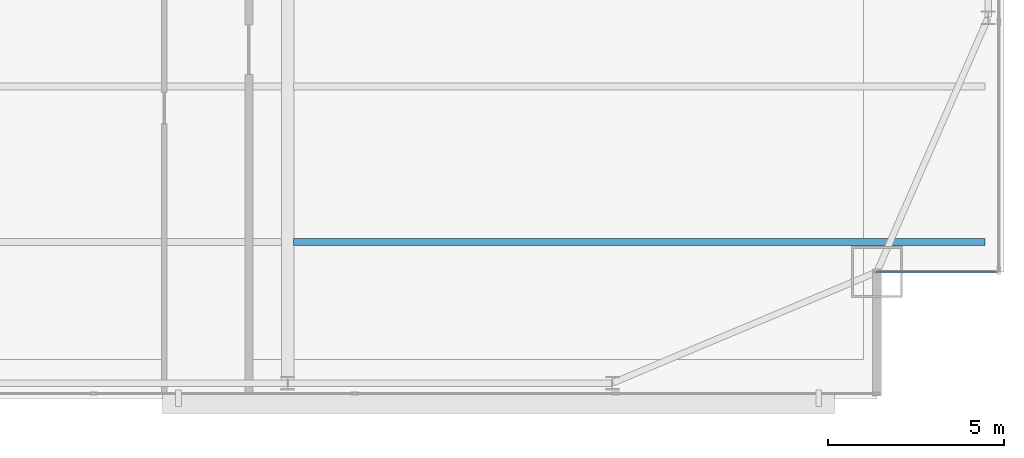
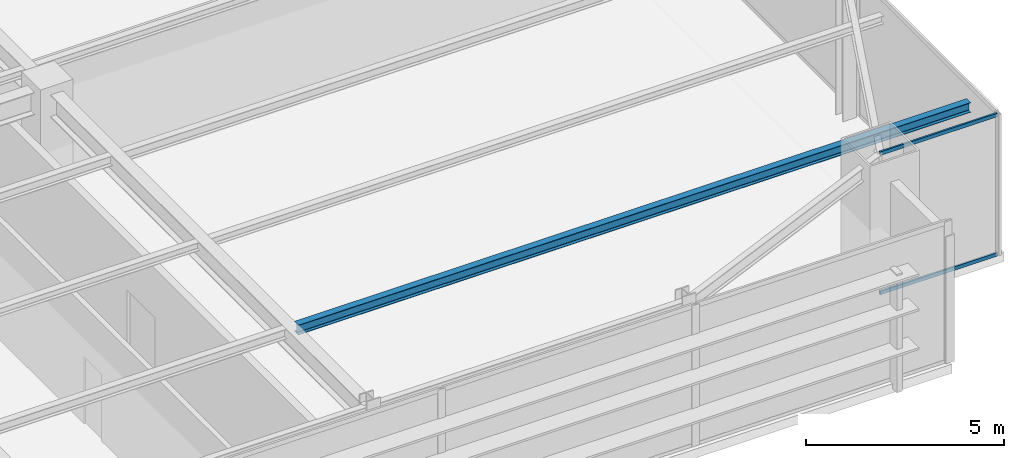
# One storey, part 18 of 32: 2 members, 1 beam, 1 element without a shape of its own.
"""IFC4 building model written with IfcOpenShell, lengths in metres."""

from ifc_helpers import new_model, si_unit, direction, frame, origin, origin_2d, place, context, subcontext, project, spatial, hollow_rectangle, i_section, extrude, source, transform, mapped, material, layer, layer_set, material_profile, profile_set, type_object, type_shapes, element, aggregate, save


model = new_model("IFC4")

# Units and contexts
model_context = context("Model", 3, precision=1e-05, world=origin(), true_north=direction((0.0, 1.0)))
body_context = subcontext(model_context, "Body", "Model", "MODEL_VIEW")
ifc_project = project(units=[si_unit("LENGTHUNIT", "METRE"), si_unit("AREAUNIT", "SQUARE_METRE"), si_unit("VOLUMEUNIT", "CUBIC_METRE"), si_unit("PLANEANGLEUNIT", "RADIAN"), si_unit("MASSUNIT", "GRAM", prefix="KILO")], contexts=[model_context])

# Site, building, storey
site_placement = place(None, origin())
site = spatial("IfcSite", under=ifc_project, at=site_placement, CompositionType="ELEMENT")
building_placement = place(site_placement, origin())
building = spatial("IfcBuilding", under=site, at=building_placement, Name="Varnel Quay Broadcast Tower", CompositionType="ELEMENT")
storey_placement = place(building_placement, frame((0.0, 0.0, 98.39990234375)))
storey = spatial("IfcBuildingStorey", under=building, at=storey_placement, Name="L23", CompositionType="ELEMENT", Elevation=98.39990234375)

# Beam
ifc_material_1 = material(Name="Structural Steel CSA G40.21 350W", Category="steel")
ifc_material_profile_1 = material_profile(ifc_material_1, i_section(OverallWidth=0.202880859375, OverallDepth=0.302978515625, WebThickness=0.007568359375, FlangeThickness=0.01318359375, FilletRadius=0.011962890625, at=origin_2d()), Name="W310X60")
ifc_profile_set_1 = profile_set([ifc_material_profile_1], Name="Structural Steel CSA G40.21 350W")
beam_type = type_object("IfcBeamType", Name="Beam_W310X60", PredefinedType="JOIST", material=ifc_profile_set_1)
shared_shape_1 = source(origin(), body_context, "Body", "SweptSolid", [
    extrude(i_section(OverallWidth=0.202880859375, OverallDepth=0.302978515625, WebThickness=0.007568359375, FlangeThickness=0.01318359375, FilletRadius=0.011962890625, at=origin_2d()), origin(), (0.0, 0.0, 1.0), 19.592041015625),
])
type_shapes(beam_type, [shared_shape_1])
beam_placement = place(storey_placement, frame((43.37255859375, 8.64990234375, 4.198486328125), z_axis=(1.0, 0.0, 0.0), x_axis=(0.0, 1.0, 0.0)))
element("IfcBeam", 1, at=beam_placement, inside=storey, type_object=beam_type, Name="L23 East Floor Joist 1", PredefinedType="JOIST", context=body_context, shape_type="MappedRepresentation", body=[
    mapped(shared_shape_1, transform((0.0, 0.0, 0.0), x_axis=(1.0, 0.0, 0.0), y_axis=(0.0, 1.0, 0.0), z_axis=(0.0, 0.0, 1.0), scale=1.0)),
])

# Curtain wall, members
ifc_material_2 = material(Name="Anodised Bronze Aluminium 6063-T6", Category="aluminium")
ifc_layer = layer(ifc_material_2, 0.18994140625, Name="Anodised Bronze Aluminium 6063-T6")
ifc_layer_set = layer_set([ifc_layer], Name="Anodised Bronze Aluminium 6063-T6")
curtain_wall_type = type_object("IfcCurtainWallType", Name="CW_NotchCorner", PredefinedType="NOTDEFINED", material=ifc_layer_set)
curtain_wall_placement = place(storey_placement, origin())
curtain_wall = element("IfcCurtainWall", 2, at=curtain_wall_placement, inside=storey, type_object=curtain_wall_type, Name="L23 SE Notch Curtain Wall", PredefinedType="NOTDEFINED")
ifc_material_profile_2 = material_profile(ifc_material_2, hollow_rectangle(XDim=0.054931640625, YDim=0.110107421875, WallThickness=0.0029296875, at=origin_2d()), Name="ALU55X110X3")
ifc_profile_set_2 = profile_set([ifc_material_profile_2], Name="Anodised Bronze Aluminium 6063-T6")
member_type = type_object("IfcMemberType", Name="Tran_CWS-04", PredefinedType="USERDEFINED", material=ifc_profile_set_2)
shared_shape_2 = source(origin(), body_context, "Body", "SweptSolid", [
    extrude(hollow_rectangle(XDim=0.054931640625, YDim=0.110107421875, WallThickness=0.0029296875, at=origin_2d()), origin(), (0.0, 0.0, 1.0), 3.41015625),
])
type_shapes(member_type, [shared_shape_2])
member_1_placement = place(storey_placement, frame((59.8798828125, 7.800048828125, 0.027587890625), z_axis=(1.0, 0.0, 0.0), x_axis=(0.0, 1.0, 0.0)))
member_1 = element("IfcMember", 3, at=member_1_placement, type_object=member_type, Name="CWS-04 transom 1.1", ObjectType="TRANSOM", PredefinedType="USERDEFINED", context=body_context, shape_type="MappedRepresentation", body=[
    mapped(shared_shape_2, transform((0.0, 0.0, 0.0), x_axis=(1.0, 0.0, 0.0), y_axis=(0.0, 1.0, 0.0), z_axis=(0.0, 0.0, 1.0), scale=1.0)),
])
member_2_placement = place(storey_placement, frame((59.8798828125, 7.800048828125, 4.322509765625), z_axis=(1.0, 0.0, 0.0), x_axis=(0.0, 1.0, 0.0)))
member_2 = element("IfcMember", 4, at=member_2_placement, type_object=member_type, Name="CWS-04 transom 1.2", ObjectType="TRANSOM", PredefinedType="USERDEFINED", context=body_context, shape_type="MappedRepresentation", body=[
    mapped(shared_shape_2, transform((0.0, 0.0, 0.0), x_axis=(1.0, 0.0, 0.0), y_axis=(0.0, 1.0, 0.0), z_axis=(0.0, 0.0, 1.0), scale=1.0)),
])
aggregate(curtain_wall, [member_1, member_2])

save(model, "model.ifc")
